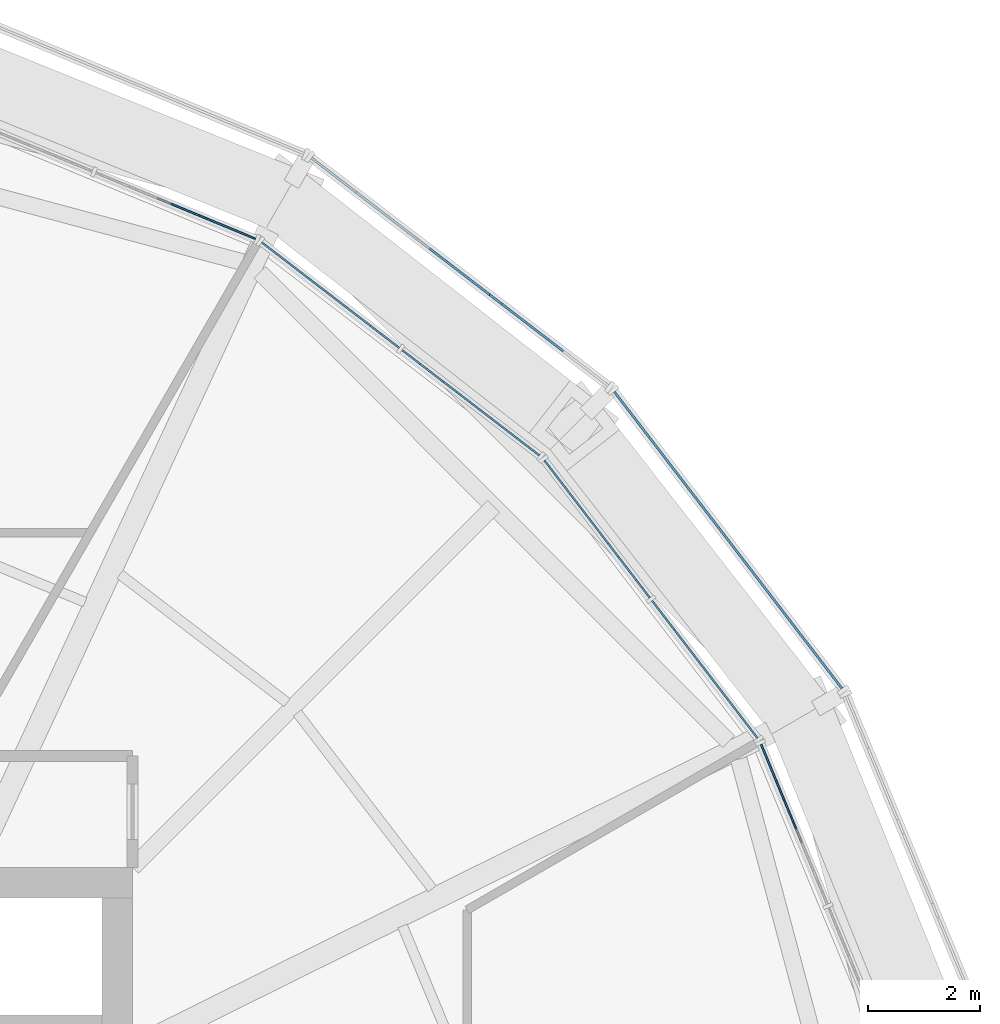
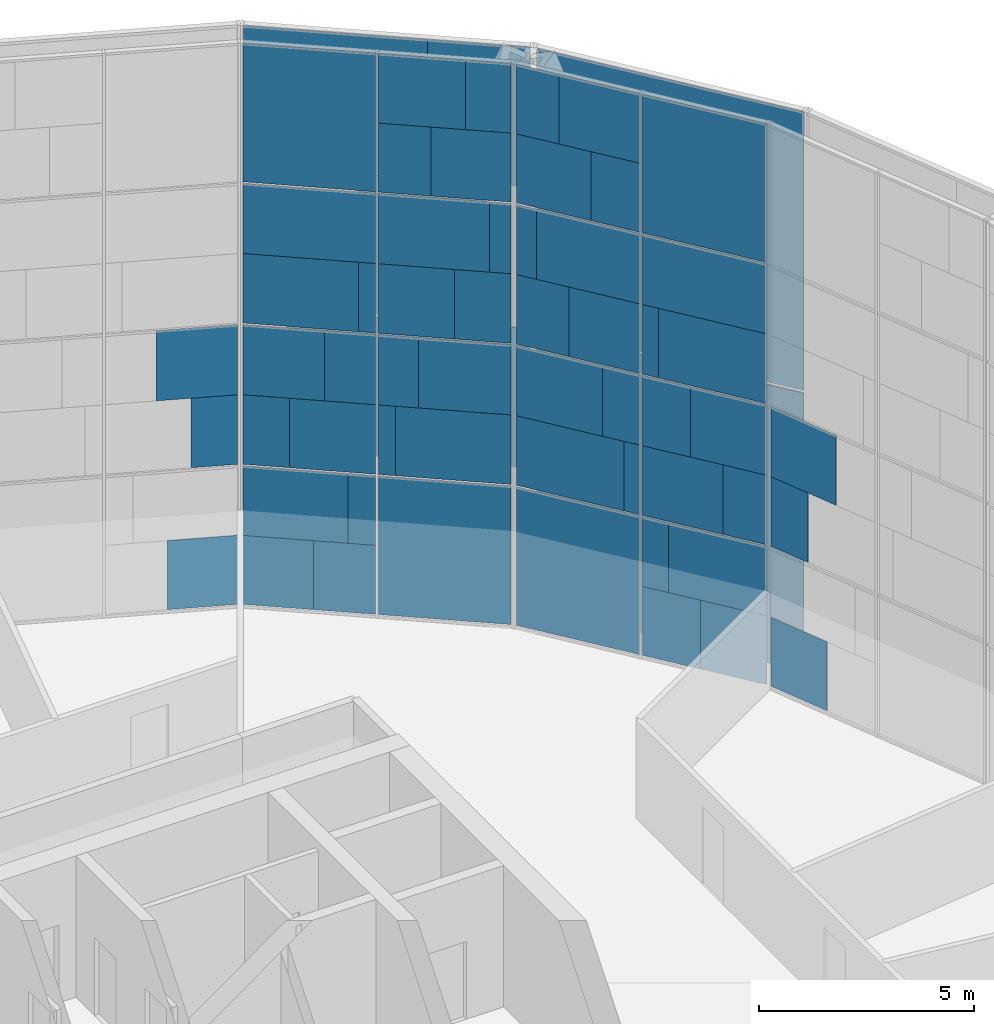
# One storey, part 24 of 29: 63 plates, 6 elements without a shape of their own.
"""IFC4 building model written with IfcOpenShell, lengths in metres."""

from ifc_helpers import new_model, si_unit, direction, frame, origin, origin_2d, place, context, subcontext, project, spatial, rectangle, extrude, material, layer, layer_set, type_object, element, aggregate, save


model = new_model("IFC4")

# Units and contexts
model_context = context("Model", 3, precision=1e-05, world=origin(), true_north=direction((0.0, 1.0)))
body_context = subcontext(model_context, "Body", "Model", "MODEL_VIEW")
ifc_project = project(units=[si_unit("LENGTHUNIT", "METRE"), si_unit("AREAUNIT", "SQUARE_METRE"), si_unit("VOLUMEUNIT", "CUBIC_METRE"), si_unit("PLANEANGLEUNIT", "RADIAN"), si_unit("MASSUNIT", "GRAM", prefix="KILO")], contexts=[model_context])

# Site, building, storey
site_placement = place(None, origin())
site = spatial("IfcSite", under=ifc_project, at=site_placement, CompositionType="ELEMENT")
building_placement = place(site_placement, origin())
building = spatial("IfcBuilding", under=site, at=building_placement, Name="Golbaran Civic Tower", CompositionType="ELEMENT")
storey_placement = place(building_placement, frame((0.0, 0.0, 118.0)))
storey = spatial("IfcBuildingStorey", under=building, at=storey_placement, Name="L28", CompositionType="ELEMENT", Elevation=118.0)

# Curtain wall, plates
ifc_material_1 = material(Name="Aluminium and glass", Category="aluminium")
curtain_wall_type_1 = type_object("IfcCurtainWallType", Name="INNER SKIN CURTAIN WALL", PredefinedType="NOTDEFINED", material=ifc_material_1)
curtain_wall_1_placement = place(storey_placement, origin())
curtain_wall_1 = element("IfcCurtainWall", 1, at=curtain_wall_1_placement, inside=storey, type_object=curtain_wall_type_1, Name="Inner skin L28 facet 2 CW1", ObjectType="INNER SKIN", PredefinedType="USERDEFINED")
ifc_material_2 = material(Name="Clear insulating glass", Category="glass")
ifc_layer_1 = layer(ifc_material_2, 0.031982421875, Name="Clear insulating glass")
ifc_layer_set_1 = layer_set([ifc_layer_1], Name="Clear insulating glass")
plate_type_1 = type_object("IfcPlateType", Name="INNER SKIN CURTAIN WALL GLAZED PANEL", PredefinedType="CURTAIN_PANEL", material=ifc_layer_set_1)
plate_1_placement = place(storey_placement, frame((21.480712890625, 11.703125, 4.03271484375), z_axis=(0.0, 0.0, 1.0), x_axis=(-0.38268343243, 0.923879532485, 0.0)))
plate_1 = element("IfcPlate", 2, at=plate_1_placement, type_object=plate_type_1, Name="CW1 panel 2.2 part 2", PredefinedType="CURTAIN_PANEL", context=body_context, shape_type="SweptSolid", body=[
    extrude(rectangle(XDim=1.0908203125, YDim=0.031982421875, at=origin_2d()), origin(), (0.0, 0.0, 1.0), 1.967529296875),
])
plate_2_placement = place(storey_placement, frame((21.63671875, 11.32666015625, 6.0), z_axis=(0.0, 0.0, 1.0), x_axis=(-0.38268343243, 0.923879532485, 0.0)))
plate_2 = element("IfcPlate", 3, at=plate_2_placement, type_object=plate_type_1, Name="CW1 panel 2.2 part 4", PredefinedType="CURTAIN_PANEL", context=body_context, shape_type="SweptSolid", body=[
    extrude(rectangle(XDim=1.90576171875, YDim=0.031982421875, at=origin_2d()), origin(), (0.0, 0.0, 1.0), 1.967529296875),
])

curtain_wall_2_placement = place(storey_placement, origin())
curtain_wall_2 = element("IfcCurtainWall", 4, at=curtain_wall_2_placement, inside=storey, type_object=curtain_wall_type_1, Name="Inner skin L28 facet 3 CW1", ObjectType="INNER SKIN", PredefinedType="USERDEFINED")
plate_3_placement = place(storey_placement, frame((19.761474609375, 14.203125, 0.06494140625), z_axis=(0.0, 0.0, 1.0), x_axis=(-0.608761428898, 0.793353340376, 0.0)))
plate_3 = element("IfcPlate", 5, at=plate_3_placement, type_object=plate_type_1, Name="CW1 panel 1.1 part 2", PredefinedType="CURTAIN_PANEL", context=body_context, shape_type="SweptSolid", body=[
    extrude(rectangle(XDim=1.458740234375, YDim=0.031982421875, at=origin_2d()), origin(), (0.0, 0.0, 1.0), 1.951171875),
])
plate_4_placement = place(storey_placement, frame((19.515869140625, 14.523193359375, 2.016357421875), z_axis=(0.0, 0.0, 1.0), x_axis=(-0.608761428898, 0.793353340376, 0.0)))
plate_4 = element("IfcPlate", 6, at=plate_4_placement, type_object=plate_type_1, Name="CW1 panel 1.1 part 4", PredefinedType="CURTAIN_PANEL", context=body_context, shape_type="SweptSolid", body=[
    extrude(rectangle(XDim=0.65185546875, YDim=0.031982421875, at=origin_2d()), origin(), (0.0, 0.0, 1.0), 1.951171875),
])
plate_5_placement = place(storey_placement, frame((20.87548828125, 12.751220703125, 4.03271484375), z_axis=(0.0, 0.0, 1.0), x_axis=(-0.608761428898, 0.793353340376, 0.0)))
plate_5 = element("IfcPlate", 7, at=plate_5_placement, type_object=plate_type_1, Name="CW1 panel 1.2 part 1", PredefinedType="CURTAIN_PANEL", context=body_context, shape_type="SweptSolid", body=[
    extrude(rectangle(XDim=1.091064453125, YDim=0.031982421875, at=origin_2d()), origin(), (0.0, 0.0, 1.0), 1.967529296875),
])
plate_6_placement = place(storey_placement, frame((20.627685546875, 13.07421875, 6.0), z_axis=(0.0, 0.0, 1.0), x_axis=(-0.608761428898, 0.793353340376, 0.0)))
plate_6 = element("IfcPlate", 8, at=plate_6_placement, type_object=plate_type_1, Name="CW1 panel 1.2 part 3", PredefinedType="CURTAIN_PANEL", context=body_context, shape_type="SweptSolid", body=[
    extrude(rectangle(XDim=1.905029296875, YDim=0.031982421875, at=origin_2d()), origin(), (0.0, 0.0, 1.0), 1.967529296875),
])
plate_7_placement = place(storey_placement, frame((20.384765625, 13.390869140625, 8.03271484375), z_axis=(0.0, 0.0, 1.0), x_axis=(-0.608761428898, 0.793353340376, 0.0)))
plate_7 = element("IfcPlate", 9, at=plate_7_placement, type_object=plate_type_1, Name="CW1 panel 1.3 part 1", PredefinedType="CURTAIN_PANEL", context=body_context, shape_type="SweptSolid", body=[
    extrude(rectangle(XDim=2.702880859375, YDim=0.031982421875, at=origin_2d()), origin(), (0.0, 0.0, 1.0), 1.967529296875),
])
plate_8_placement = place(storey_placement, frame((20.262451171875, 13.55029296875, 10.0), z_axis=(0.0, 0.0, 1.0), x_axis=(-0.608761428898, 0.793353340376, 0.0)))
plate_8 = element("IfcPlate", 10, at=plate_8_placement, type_object=plate_type_1, Name="CW1 panel 1.3 part 3", PredefinedType="CURTAIN_PANEL", context=body_context, shape_type="SweptSolid", body=[
    extrude(rectangle(XDim=3.104736328125, YDim=0.031982421875, at=origin_2d()), origin(), (0.0, 0.0, 1.0), 1.967529296875),
])
plate_9_placement = place(storey_placement, frame((20.262451171875, 13.55029296875, 12.0322265625), z_axis=(0.0, 0.0, 1.0), x_axis=(-0.608761428898, 0.793353340376, 0.0)))
plate_9 = element("IfcPlate", 11, at=plate_9_placement, type_object=plate_type_1, Name="CW1 panel 1.4", PredefinedType="CURTAIN_PANEL", context=body_context, shape_type="SweptSolid", body=[
    extrude(rectangle(XDim=3.104736328125, YDim=0.031982421875, at=origin_2d()), origin(), (0.0, 0.0, 1.0), 3.902587890625),
])
plate_10_placement = place(storey_placement, frame((18.332763671875, 16.06494140625, 0.06494140625), z_axis=(0.0, 0.0, 1.0), x_axis=(-0.608761428898, 0.793353340376, 0.0)))
plate_10 = element("IfcPlate", 12, at=plate_10_placement, type_object=plate_type_1, Name="CW1 panel 2.1", PredefinedType="CURTAIN_PANEL", context=body_context, shape_type="SweptSolid", body=[
    extrude(rectangle(XDim=3.104736328125, YDim=0.031982421875, at=origin_2d()), origin(), (0.0, 0.0, 1.0), 3.902587890625),
])
plate_11_placement = place(storey_placement, frame((18.210693359375, 16.22412109375, 4.03271484375), z_axis=(0.0, 0.0, 1.0), x_axis=(-0.608761428898, 0.793353340376, 0.0)))
plate_11 = element("IfcPlate", 13, at=plate_11_placement, type_object=plate_type_1, Name="CW1 panel 2.2 part 2", PredefinedType="CURTAIN_PANEL", context=body_context, shape_type="SweptSolid", body=[
    extrude(rectangle(XDim=2.703857421875, YDim=0.031982421875, at=origin_2d()), origin(), (0.0, 0.0, 1.0), 1.967529296875),
])
plate_12_placement = place(storey_placement, frame((18.046875, 16.4375, 6.0), z_axis=(0.0, 0.0, 1.0), x_axis=(-0.608761428898, 0.793353340376, 0.0)))
plate_12 = element("IfcPlate", 14, at=plate_12_placement, type_object=plate_type_1, Name="CW1 panel 2.2 part 4", PredefinedType="CURTAIN_PANEL", context=body_context, shape_type="SweptSolid", body=[
    extrude(rectangle(XDim=2.165771484375, YDim=0.031982421875, at=origin_2d()), origin(), (0.0, 0.0, 1.0), 1.967529296875),
])
plate_13_placement = place(storey_placement, frame((17.791015625, 16.77099609375, 8.03271484375), z_axis=(0.0, 0.0, 1.0), x_axis=(-0.608761428898, 0.793353340376, 0.0)))
plate_13 = element("IfcPlate", 15, at=plate_13_placement, type_object=plate_type_1, Name="CW1 panel 2.3 part 2", PredefinedType="CURTAIN_PANEL", context=body_context, shape_type="SweptSolid", body=[
    extrude(rectangle(XDim=1.324951171875, YDim=0.031982421875, at=origin_2d()), origin(), (0.0, 0.0, 1.0), 1.967529296875),
])
plate_14_placement = place(storey_placement, frame((17.54296875, 17.09423828125, 10.0), z_axis=(0.0, 0.0, 1.0), x_axis=(-0.608761428898, 0.793353340376, 0.0)))
plate_14 = element("IfcPlate", 16, at=plate_14_placement, type_object=plate_type_1, Name="CW1 panel 2.3 part 4", PredefinedType="CURTAIN_PANEL", context=body_context, shape_type="SweptSolid", body=[
    extrude(rectangle(XDim=0.509765625, YDim=0.031982421875, at=origin_2d()), origin(), (0.0, 0.0, 1.0), 1.967529296875),
])
plate_15_placement = place(storey_placement, frame((18.90283203125, 15.322021484375, 12.032470703125), z_axis=(0.0, 0.0, 1.0), x_axis=(-0.608761428898, 0.793353340376, 0.0)))
plate_15 = element("IfcPlate", 17, at=plate_15_placement, type_object=plate_type_1, Name="CW1 panel 2.4 part 1", PredefinedType="CURTAIN_PANEL", context=body_context, shape_type="SweptSolid", body=[
    extrude(rectangle(XDim=1.23193359375, YDim=0.031982421875, at=origin_2d()), origin(), (0.0, 0.0, 1.0), 1.951171875),
])
plate_16_placement = place(storey_placement, frame((18.656982421875, 15.642578125, 13.98388671875), z_axis=(0.0, 0.0, 1.0), x_axis=(-0.608761428898, 0.793353340376, 0.0)))
plate_16 = element("IfcPlate", 18, at=plate_16_placement, type_object=plate_type_1, Name="CW1 panel 2.4 part 3", PredefinedType="CURTAIN_PANEL", context=body_context, shape_type="SweptSolid", body=[
    extrude(rectangle(XDim=2.0400390625, YDim=0.031982421875, at=origin_2d()), origin(), (0.0, 0.0, 1.0), 1.951171875),
])

curtain_wall_3_placement = place(storey_placement, origin())
curtain_wall_3 = element("IfcCurtainWall", 19, at=curtain_wall_3_placement, inside=storey, type_object=curtain_wall_type_1, Name="Inner skin L28 facet 4 CW1", ObjectType="INNER SKIN", PredefinedType="USERDEFINED")
plate_17_placement = place(storey_placement, frame((16.06494140625, 18.332763671875, 0.06494140625), z_axis=(0.0, 0.0, 1.0), x_axis=(-0.793353340376, 0.608761428898, 0.0)))
plate_17 = element("IfcPlate", 20, at=plate_17_placement, type_object=plate_type_1, Name="CW1 panel 1.1", PredefinedType="CURTAIN_PANEL", context=body_context, shape_type="SweptSolid", body=[
    extrude(rectangle(XDim=3.104736328125, YDim=0.031982421875, at=origin_2d()), origin(), (0.0, 0.0, 1.0), 3.902587890625),
])
plate_18_placement = place(storey_placement, frame((16.224365234375, 18.21044921875, 4.03271484375), z_axis=(0.0, 0.0, 1.0), x_axis=(-0.793353340376, 0.608761428898, 0.0)))
plate_18 = element("IfcPlate", 21, at=plate_18_placement, type_object=plate_type_1, Name="CW1 panel 1.2 part 1", PredefinedType="CURTAIN_PANEL", context=body_context, shape_type="SweptSolid", body=[
    extrude(rectangle(XDim=2.702880859375, YDim=0.031982421875, at=origin_2d()), origin(), (0.0, 0.0, 1.0), 1.967529296875),
])
plate_19_placement = place(storey_placement, frame((16.4375, 18.047119140625, 6.0), z_axis=(0.0, 0.0, 1.0), x_axis=(-0.793353340376, 0.608761428898, 0.0)))
plate_19 = element("IfcPlate", 22, at=plate_19_placement, type_object=plate_type_1, Name="CW1 panel 1.2 part 3", PredefinedType="CURTAIN_PANEL", context=body_context, shape_type="SweptSolid", body=[
    extrude(rectangle(XDim=2.166015625, YDim=0.031982421875, at=origin_2d()), origin(), (0.0, 0.0, 1.0), 1.967529296875),
])
plate_20_placement = place(storey_placement, frame((16.77099609375, 17.791015625, 8.03271484375), z_axis=(0.0, 0.0, 1.0), x_axis=(-0.793353340376, 0.608761428898, 0.0)))
plate_20 = element("IfcPlate", 23, at=plate_20_placement, type_object=plate_type_1, Name="CW1 panel 1.3 part 1", PredefinedType="CURTAIN_PANEL", context=body_context, shape_type="SweptSolid", body=[
    extrude(rectangle(XDim=1.324951171875, YDim=0.031982421875, at=origin_2d()), origin(), (0.0, 0.0, 1.0), 1.967529296875),
])
plate_21_placement = place(storey_placement, frame((17.09423828125, 17.54296875, 10.0), z_axis=(0.0, 0.0, 1.0), x_axis=(-0.793353340376, 0.608761428898, 0.0)))
plate_21 = element("IfcPlate", 24, at=plate_21_placement, type_object=plate_type_1, Name="CW1 panel 1.3 part 3", PredefinedType="CURTAIN_PANEL", context=body_context, shape_type="SweptSolid", body=[
    extrude(rectangle(XDim=0.510009765625, YDim=0.031982421875, at=origin_2d()), origin(), (0.0, 0.0, 1.0), 1.967529296875),
])
plate_22_placement = place(storey_placement, frame((15.322021484375, 18.90283203125, 12.032470703125), z_axis=(0.0, 0.0, 1.0), x_axis=(-0.793353340376, 0.608761428898, 0.0)))
plate_22 = element("IfcPlate", 25, at=plate_22_placement, type_object=plate_type_1, Name="CW1 panel 1.4 part 2", PredefinedType="CURTAIN_PANEL", context=body_context, shape_type="SweptSolid", body=[
    extrude(rectangle(XDim=1.23193359375, YDim=0.031982421875, at=origin_2d()), origin(), (0.0, 0.0, 1.0), 1.951171875),
])
plate_23_placement = place(storey_placement, frame((15.642578125, 18.656982421875, 13.98388671875), z_axis=(0.0, 0.0, 1.0), x_axis=(-0.793353340376, 0.608761428898, 0.0)))
plate_23 = element("IfcPlate", 26, at=plate_23_placement, type_object=plate_type_1, Name="CW1 panel 1.4 part 4", PredefinedType="CURTAIN_PANEL", context=body_context, shape_type="SweptSolid", body=[
    extrude(rectangle(XDim=2.039794921875, YDim=0.031982421875, at=origin_2d()), origin(), (0.0, 0.0, 1.0), 1.951171875),
])
plate_24_placement = place(storey_placement, frame((14.203125, 19.761474609375, 0.06494140625), z_axis=(0.0, 0.0, 1.0), x_axis=(-0.793353340376, 0.608761428898, 0.0)))
plate_24 = element("IfcPlate", 27, at=plate_24_placement, type_object=plate_type_1, Name="CW1 panel 2.1 part 1", PredefinedType="CURTAIN_PANEL", context=body_context, shape_type="SweptSolid", body=[
    extrude(rectangle(XDim=1.458984375, YDim=0.031982421875, at=origin_2d()), origin(), (0.0, 0.0, 1.0), 1.951171875),
])
plate_25_placement = place(storey_placement, frame((14.5234375, 19.515625, 2.016357421875), z_axis=(0.0, 0.0, 1.0), x_axis=(-0.793353340376, 0.608761428898, 0.0)))
plate_25 = element("IfcPlate", 28, at=plate_25_placement, type_object=plate_type_1, Name="CW1 panel 2.1 part 3", PredefinedType="CURTAIN_PANEL", context=body_context, shape_type="SweptSolid", body=[
    extrude(rectangle(XDim=0.65087890625, YDim=0.031982421875, at=origin_2d()), origin(), (0.0, 0.0, 1.0), 1.951171875),
])
plate_26_placement = place(storey_placement, frame((12.751220703125, 20.87548828125, 4.03271484375), z_axis=(0.0, 0.0, 1.0), x_axis=(-0.793353340376, 0.608761428898, 0.0)))
plate_26 = element("IfcPlate", 29, at=plate_26_placement, type_object=plate_type_1, Name="CW1 panel 2.2 part 2", PredefinedType="CURTAIN_PANEL", context=body_context, shape_type="SweptSolid", body=[
    extrude(rectangle(XDim=1.0908203125, YDim=0.031982421875, at=origin_2d()), origin(), (0.0, 0.0, 1.0), 1.967529296875),
])
plate_27_placement = place(storey_placement, frame((13.074462890625, 20.62744140625, 6.0), z_axis=(0.0, 0.0, 1.0), x_axis=(-0.793353340376, 0.608761428898, 0.0)))
plate_27 = element("IfcPlate", 30, at=plate_27_placement, type_object=plate_type_1, Name="CW1 panel 2.2 part 4", PredefinedType="CURTAIN_PANEL", context=body_context, shape_type="SweptSolid", body=[
    extrude(rectangle(XDim=1.90576171875, YDim=0.031982421875, at=origin_2d()), origin(), (0.0, 0.0, 1.0), 1.967529296875),
])
plate_28_placement = place(storey_placement, frame((13.3916015625, 20.38427734375, 8.03271484375), z_axis=(0.0, 0.0, 1.0), x_axis=(-0.793353340376, 0.608761428898, 0.0)))
plate_28 = element("IfcPlate", 31, at=plate_28_placement, type_object=plate_type_1, Name="CW1 panel 2.3 part 2", PredefinedType="CURTAIN_PANEL", context=body_context, shape_type="SweptSolid", body=[
    extrude(rectangle(XDim=2.704833984375, YDim=0.031982421875, at=origin_2d()), origin(), (0.0, 0.0, 1.0), 1.967529296875),
])
plate_29_placement = place(storey_placement, frame((13.55029296875, 20.262451171875, 10.0), z_axis=(0.0, 0.0, 1.0), x_axis=(-0.793353340376, 0.608761428898, 0.0)))
plate_29 = element("IfcPlate", 32, at=plate_29_placement, type_object=plate_type_1, Name="CW1 panel 2.3 part 3", PredefinedType="CURTAIN_PANEL", context=body_context, shape_type="SweptSolid", body=[
    extrude(rectangle(XDim=3.104736328125, YDim=0.031982421875, at=origin_2d()), origin(), (0.0, 0.0, 1.0), 1.967529296875),
])
plate_30_placement = place(storey_placement, frame((13.55029296875, 20.262451171875, 12.0322265625), z_axis=(0.0, 0.0, 1.0), x_axis=(-0.793353340376, 0.608761428898, 0.0)))
plate_30 = element("IfcPlate", 33, at=plate_30_placement, type_object=plate_type_1, Name="CW1 panel 2.4", PredefinedType="CURTAIN_PANEL", context=body_context, shape_type="SweptSolid", body=[
    extrude(rectangle(XDim=3.104736328125, YDim=0.031982421875, at=origin_2d()), origin(), (0.0, 0.0, 1.0), 3.902587890625),
])

curtain_wall_4_placement = place(storey_placement, origin())
curtain_wall_4 = element("IfcCurtainWall", 34, at=curtain_wall_4_placement, inside=storey, type_object=curtain_wall_type_1, Name="Inner skin L28 facet 5 CW1", ObjectType="INNER SKIN", PredefinedType="USERDEFINED")
plate_31_placement = place(storey_placement, frame((11.702880859375, 21.480712890625, 4.03271484375), z_axis=(0.0, 0.0, 1.0), x_axis=(-0.923879532485, 0.38268343243, 0.0)))
plate_31 = element("IfcPlate", 35, at=plate_31_placement, type_object=plate_type_1, Name="CW1 panel 1.2 part 1", PredefinedType="CURTAIN_PANEL", context=body_context, shape_type="SweptSolid", body=[
    extrude(rectangle(XDim=1.091064453125, YDim=0.031982421875, at=origin_2d()), origin(), (0.0, 0.0, 1.0), 1.967529296875),
])
plate_32_placement = place(storey_placement, frame((11.326904296875, 21.636474609375, 6.0), z_axis=(0.0, 0.0, 1.0), x_axis=(-0.923879532485, 0.38268343243, 0.0)))
plate_32 = element("IfcPlate", 36, at=plate_32_placement, type_object=plate_type_1, Name="CW1 panel 1.2 part 3", PredefinedType="CURTAIN_PANEL", context=body_context, shape_type="SweptSolid", body=[
    extrude(rectangle(XDim=1.905029296875, YDim=0.031982421875, at=origin_2d()), origin(), (0.0, 0.0, 1.0), 1.967529296875),
])

# Plate
ifc_material_3 = material(Name="Aluminium faced opaque infill panel", Category="aluminium")
ifc_layer_2 = layer(ifc_material_3, 0.031982421875, Name="Aluminium faced opaque infill panel")
ifc_layer_set_2 = layer_set([ifc_layer_2], Name="Aluminium faced opaque infill panel")
plate_type_2 = type_object("IfcPlateType", Name="INNER SKIN CURTAIN WALL OPAQUE INFILL PANEL", PredefinedType="CURTAIN_PANEL", material=ifc_layer_set_2)
plate_33_placement = place(storey_placement, frame((21.5869140625, 11.44677734375, 0.06494140625), z_axis=(0.0, 0.0, 1.0), x_axis=(-0.38268343243, 0.923879532485, 0.0)))
plate_33 = element("IfcPlate", 37, at=plate_33_placement, type_object=plate_type_2, Name="CW1 infill panel 2.1 part 2", PredefinedType="CURTAIN_PANEL", context=body_context, shape_type="SweptSolid", body=[
    extrude(rectangle(XDim=1.645751953125, YDim=0.031982421875, at=origin_2d()), origin(), (0.0, 0.0, 1.0), 1.951171875),
])

aggregate(curtain_wall_1, [plate_33, plate_1, plate_2])

plate_34_placement = place(storey_placement, frame((20.70654296875, 12.971435546875, 0.06494140625), z_axis=(0.0, 0.0, 1.0), x_axis=(-0.608761428898, 0.793353340376, 0.0)))
plate_34 = element("IfcPlate", 38, at=plate_34_placement, type_object=plate_type_2, Name="CW1 infill panel 1.1 part 1", PredefinedType="CURTAIN_PANEL", context=body_context, shape_type="SweptSolid", body=[
    extrude(rectangle(XDim=1.64599609375, YDim=0.031982421875, at=origin_2d()), origin(), (0.0, 0.0, 1.0), 1.951171875),
])

plate_35_placement = place(storey_placement, frame((20.4609375, 13.29150390625, 2.016357421875), z_axis=(0.0, 0.0, 1.0), x_axis=(-0.608761428898, 0.793353340376, 0.0)))
plate_35 = element("IfcPlate", 39, at=plate_35_placement, type_object=plate_type_2, Name="CW1 infill panel 1.1 part 3", PredefinedType="CURTAIN_PANEL", context=body_context, shape_type="SweptSolid", body=[
    extrude(rectangle(XDim=2.452880859375, YDim=0.031982421875, at=origin_2d()), origin(), (0.0, 0.0, 1.0), 1.951171875),
])

plate_36_placement = place(storey_placement, frame((19.930419921875, 13.98291015625, 4.03271484375), z_axis=(0.0, 0.0, 1.0), x_axis=(-0.608761428898, 0.793353340376, 0.0)))
plate_36 = element("IfcPlate", 40, at=plate_36_placement, type_object=plate_type_2, Name="CW1 infill panel 1.2 part 2", PredefinedType="CURTAIN_PANEL", context=body_context, shape_type="SweptSolid", body=[
    extrude(rectangle(XDim=2.013916015625, YDim=0.031982421875, at=origin_2d()), origin(), (0.0, 0.0, 1.0), 1.967529296875),
])

plate_37_placement = place(storey_placement, frame((19.6826171875, 14.305908203125, 6.0), z_axis=(0.0, 0.0, 1.0), x_axis=(-0.608761428898, 0.793353340376, 0.0)))
plate_37 = element("IfcPlate", 41, at=plate_37_placement, type_object=plate_type_2, Name="CW1 infill panel 1.2 part 4", PredefinedType="CURTAIN_PANEL", context=body_context, shape_type="SweptSolid", body=[
    extrude(rectangle(XDim=1.199951171875, YDim=0.031982421875, at=origin_2d()), origin(), (0.0, 0.0, 1.0), 1.967529296875),
])

plate_38_placement = place(storey_placement, frame((19.439697265625, 14.622314453125, 8.03271484375), z_axis=(0.0, 0.0, 1.0), x_axis=(-0.608761428898, 0.793353340376, 0.0)))
plate_38 = element("IfcPlate", 42, at=plate_38_placement, type_object=plate_type_2, Name="CW1 infill panel 1.3 part 2", PredefinedType="CURTAIN_PANEL", context=body_context, shape_type="SweptSolid", body=[
    extrude(rectangle(XDim=0.40185546875, YDim=0.031982421875, at=origin_2d()), origin(), (0.0, 0.0, 1.0), 1.967529296875),
])

plate_39_placement = place(storey_placement, frame((19.15576171875, 14.992431640625, 4.03271484375), z_axis=(0.0, 0.0, 1.0), x_axis=(-0.608761428898, 0.793353340376, 0.0)))
plate_39 = element("IfcPlate", 43, at=plate_39_placement, type_object=plate_type_2, Name="CW1 infill panel 2.2 part 1", PredefinedType="CURTAIN_PANEL", context=body_context, shape_type="SweptSolid", body=[
    extrude(rectangle(XDim=0.40087890625, YDim=0.031982421875, at=origin_2d()), origin(), (0.0, 0.0, 1.0), 1.967529296875),
])

plate_40_placement = place(storey_placement, frame((18.991943359375, 15.205810546875, 6.0), z_axis=(0.0, 0.0, 1.0), x_axis=(-0.608761428898, 0.793353340376, 0.0)))
plate_40 = element("IfcPlate", 44, at=plate_40_placement, type_object=plate_type_2, Name="CW1 infill panel 2.2 part 3", PredefinedType="CURTAIN_PANEL", context=body_context, shape_type="SweptSolid", body=[
    extrude(rectangle(XDim=0.93896484375, YDim=0.031982421875, at=origin_2d()), origin(), (0.0, 0.0, 1.0), 1.967529296875),
])

plate_41_placement = place(storey_placement, frame((18.736083984375, 15.53955078125, 8.03271484375), z_axis=(0.0, 0.0, 1.0), x_axis=(-0.608761428898, 0.793353340376, 0.0)))
plate_41 = element("IfcPlate", 45, at=plate_41_placement, type_object=plate_type_2, Name="CW1 infill panel 2.3 part 1", PredefinedType="CURTAIN_PANEL", context=body_context, shape_type="SweptSolid", body=[
    extrude(rectangle(XDim=1.780029296875, YDim=0.031982421875, at=origin_2d()), origin(), (0.0, 0.0, 1.0), 1.967529296875),
])

plate_42_placement = place(storey_placement, frame((18.488037109375, 15.86279296875, 10.0), z_axis=(0.0, 0.0, 1.0), x_axis=(-0.608761428898, 0.793353340376, 0.0)))
plate_42 = element("IfcPlate", 46, at=plate_42_placement, type_object=plate_type_2, Name="CW1 infill panel 2.3 part 3", PredefinedType="CURTAIN_PANEL", context=body_context, shape_type="SweptSolid", body=[
    extrude(rectangle(XDim=2.594970703125, YDim=0.031982421875, at=origin_2d()), origin(), (0.0, 0.0, 1.0), 1.967529296875),
])

plate_43_placement = place(storey_placement, frame((17.957763671875, 16.5537109375, 12.032470703125), z_axis=(0.0, 0.0, 1.0), x_axis=(-0.608761428898, 0.793353340376, 0.0)))
plate_43 = element("IfcPlate", 47, at=plate_43_placement, type_object=plate_type_2, Name="CW1 infill panel 2.4 part 2", PredefinedType="CURTAIN_PANEL", context=body_context, shape_type="SweptSolid", body=[
    extrude(rectangle(XDim=1.872802734375, YDim=0.031982421875, at=origin_2d()), origin(), (0.0, 0.0, 1.0), 1.951171875),
])

plate_44_placement = place(storey_placement, frame((17.7119140625, 16.874267578125, 13.98388671875), z_axis=(0.0, 0.0, 1.0), x_axis=(-0.608761428898, 0.793353340376, 0.0)))
plate_44 = element("IfcPlate", 48, at=plate_44_placement, type_object=plate_type_2, Name="CW1 infill panel 2.4 part 4", PredefinedType="CURTAIN_PANEL", context=body_context, shape_type="SweptSolid", body=[
    extrude(rectangle(XDim=1.06494140625, YDim=0.031982421875, at=origin_2d()), origin(), (0.0, 0.0, 1.0), 1.951171875),
])

aggregate(curtain_wall_2, [plate_34, plate_3, plate_35, plate_4, plate_5, plate_36, plate_6, plate_37, plate_7, plate_38, plate_8, plate_9, plate_10, plate_39, plate_11, plate_40, plate_12, plate_41, plate_13, plate_42, plate_14, plate_15, plate_43, plate_16, plate_44])

plate_45_placement = place(storey_placement, frame((14.99267578125, 19.155517578125, 4.03271484375), z_axis=(0.0, 0.0, 1.0), x_axis=(-0.793353340376, 0.608761428898, 0.0)))
plate_45 = element("IfcPlate", 49, at=plate_45_placement, type_object=plate_type_2, Name="CW1 infill panel 1.2 part 2", PredefinedType="CURTAIN_PANEL", context=body_context, shape_type="SweptSolid", body=[
    extrude(rectangle(XDim=0.40185546875, YDim=0.031982421875, at=origin_2d()), origin(), (0.0, 0.0, 1.0), 1.967529296875),
])

plate_46_placement = place(storey_placement, frame((15.205810546875, 18.9921875, 6.0), z_axis=(0.0, 0.0, 1.0), x_axis=(-0.793353340376, 0.608761428898, 0.0)))
plate_46 = element("IfcPlate", 50, at=plate_46_placement, type_object=plate_type_2, Name="CW1 infill panel 1.2 part 4", PredefinedType="CURTAIN_PANEL", context=body_context, shape_type="SweptSolid", body=[
    extrude(rectangle(XDim=0.938720703125, YDim=0.031982421875, at=origin_2d()), origin(), (0.0, 0.0, 1.0), 1.967529296875),
])

plate_47_placement = place(storey_placement, frame((15.539306640625, 18.736083984375, 8.03271484375), z_axis=(0.0, 0.0, 1.0), x_axis=(-0.793353340376, 0.608761428898, 0.0)))
plate_47 = element("IfcPlate", 51, at=plate_47_placement, type_object=plate_type_2, Name="CW1 infill panel 1.3 part 2", PredefinedType="CURTAIN_PANEL", context=body_context, shape_type="SweptSolid", body=[
    extrude(rectangle(XDim=1.77978515625, YDim=0.031982421875, at=origin_2d()), origin(), (0.0, 0.0, 1.0), 1.967529296875),
])

plate_48_placement = place(storey_placement, frame((15.86279296875, 18.488037109375, 10.0), z_axis=(0.0, 0.0, 1.0), x_axis=(-0.793353340376, 0.608761428898, 0.0)))
plate_48 = element("IfcPlate", 52, at=plate_48_placement, type_object=plate_type_2, Name="CW1 infill panel 1.3 part 4", PredefinedType="CURTAIN_PANEL", context=body_context, shape_type="SweptSolid", body=[
    extrude(rectangle(XDim=2.5947265625, YDim=0.031982421875, at=origin_2d()), origin(), (0.0, 0.0, 1.0), 1.967529296875),
])

plate_49_placement = place(storey_placement, frame((16.5537109375, 17.957763671875, 12.032470703125), z_axis=(0.0, 0.0, 1.0), x_axis=(-0.793353340376, 0.608761428898, 0.0)))
plate_49 = element("IfcPlate", 53, at=plate_49_placement, type_object=plate_type_2, Name="CW1 infill panel 1.4 part 1", PredefinedType="CURTAIN_PANEL", context=body_context, shape_type="SweptSolid", body=[
    extrude(rectangle(XDim=1.873046875, YDim=0.031982421875, at=origin_2d()), origin(), (0.0, 0.0, 1.0), 1.951171875),
])

plate_50_placement = place(storey_placement, frame((16.8740234375, 17.7119140625, 13.98388671875), z_axis=(0.0, 0.0, 1.0), x_axis=(-0.793353340376, 0.608761428898, 0.0)))
plate_50 = element("IfcPlate", 54, at=plate_50_placement, type_object=plate_type_2, Name="CW1 infill panel 1.4 part 3", PredefinedType="CURTAIN_PANEL", context=body_context, shape_type="SweptSolid", body=[
    extrude(rectangle(XDim=1.06494140625, YDim=0.031982421875, at=origin_2d()), origin(), (0.0, 0.0, 1.0), 1.951171875),
])

plate_51_placement = place(storey_placement, frame((12.971435546875, 20.70654296875, 0.06494140625), z_axis=(0.0, 0.0, 1.0), x_axis=(-0.793353340376, 0.608761428898, 0.0)))
plate_51 = element("IfcPlate", 55, at=plate_51_placement, type_object=plate_type_2, Name="CW1 infill panel 2.1 part 2", PredefinedType="CURTAIN_PANEL", context=body_context, shape_type="SweptSolid", body=[
    extrude(rectangle(XDim=1.645751953125, YDim=0.031982421875, at=origin_2d()), origin(), (0.0, 0.0, 1.0), 1.951171875),
])

plate_52_placement = place(storey_placement, frame((13.2919921875, 20.460693359375, 2.016357421875), z_axis=(0.0, 0.0, 1.0), x_axis=(-0.793353340376, 0.608761428898, 0.0)))
plate_52 = element("IfcPlate", 56, at=plate_52_placement, type_object=plate_type_2, Name="CW1 infill panel 2.1 part 4", PredefinedType="CURTAIN_PANEL", context=body_context, shape_type="SweptSolid", body=[
    extrude(rectangle(XDim=2.453857421875, YDim=0.031982421875, at=origin_2d()), origin(), (0.0, 0.0, 1.0), 1.951171875),
])

plate_53_placement = place(storey_placement, frame((13.98291015625, 19.930419921875, 4.03271484375), z_axis=(0.0, 0.0, 1.0), x_axis=(-0.793353340376, 0.608761428898, 0.0)))
plate_53 = element("IfcPlate", 57, at=plate_53_placement, type_object=plate_type_2, Name="CW1 infill panel 2.2 part 1", PredefinedType="CURTAIN_PANEL", context=body_context, shape_type="SweptSolid", body=[
    extrude(rectangle(XDim=2.013916015625, YDim=0.031982421875, at=origin_2d()), origin(), (0.0, 0.0, 1.0), 1.967529296875),
])

plate_54_placement = place(storey_placement, frame((14.30615234375, 19.682373046875, 6.0), z_axis=(0.0, 0.0, 1.0), x_axis=(-0.793353340376, 0.608761428898, 0.0)))
plate_54 = element("IfcPlate", 58, at=plate_54_placement, type_object=plate_type_2, Name="CW1 infill panel 2.2 part 3", PredefinedType="CURTAIN_PANEL", context=body_context, shape_type="SweptSolid", body=[
    extrude(rectangle(XDim=1.198974609375, YDim=0.031982421875, at=origin_2d()), origin(), (0.0, 0.0, 1.0), 1.967529296875),
])

plate_55_placement = place(storey_placement, frame((14.623046875, 19.439208984375, 8.03271484375), z_axis=(0.0, 0.0, 1.0), x_axis=(-0.793353340376, 0.608761428898, 0.0)))
plate_55 = element("IfcPlate", 59, at=plate_55_placement, type_object=plate_type_2, Name="CW1 infill panel 2.3 part 1", PredefinedType="CURTAIN_PANEL", context=body_context, shape_type="SweptSolid", body=[
    extrude(rectangle(XDim=0.39990234375, YDim=0.031982421875, at=origin_2d()), origin(), (0.0, 0.0, 1.0), 1.967529296875),
])

aggregate(curtain_wall_3, [plate_17, plate_18, plate_45, plate_19, plate_46, plate_20, plate_47, plate_21, plate_48, plate_49, plate_22, plate_50, plate_23, plate_24, plate_51, plate_25, plate_52, plate_53, plate_26, plate_54, plate_27, plate_55, plate_28, plate_29, plate_30])

plate_56_placement = place(storey_placement, frame((11.446533203125, 21.5869140625, 0.06494140625), z_axis=(0.0, 0.0, 1.0), x_axis=(-0.923879532485, 0.38268343243, 0.0)))
plate_56 = element("IfcPlate", 60, at=plate_56_placement, type_object=plate_type_2, Name="CW1 infill panel 1.1 part 1", PredefinedType="CURTAIN_PANEL", context=body_context, shape_type="SweptSolid", body=[
    extrude(rectangle(XDim=1.64599609375, YDim=0.031982421875, at=origin_2d()), origin(), (0.0, 0.0, 1.0), 1.951171875),
])

aggregate(curtain_wall_4, [plate_56, plate_31, plate_32])

# Curtain wall, plates
curtain_wall_type_2 = type_object("IfcCurtainWallType", Name="OUTER SKIN TERRACOTTA SCREEN", PredefinedType="NOTDEFINED", material=ifc_material_1)
curtain_wall_5_placement = place(storey_placement, origin())
curtain_wall_5 = element("IfcCurtainWall", 61, at=curtain_wall_5_placement, inside=storey, type_object=curtain_wall_type_2, Name="Outer skin L28 facet 4 CW3", ObjectType="OUTER SKIN", PredefinedType="USERDEFINED")
ifc_material_4 = material(Name="Clear laminated glass", Category="glass")
ifc_layer_3 = layer(ifc_material_4, 0.0400390625, Name="Clear laminated glass")
ifc_layer_set_3 = layer_set([ifc_layer_3], Name="Clear laminated glass")
plate_type_3 = type_object("IfcPlateType", Name="OUTER SKIN CLEAR GLASS PANEL", PredefinedType="CURTAIN_PANEL", material=ifc_layer_set_3)
plate_57_placement = place(storey_placement, frame((17.466552734375, 19.45556640625, 3.31005859375), z_axis=(0.0, 0.0, 1.0), x_axis=(-0.793353340302, 0.608761428995, 0.0)))
plate_57 = element("IfcPlate", 62, at=plate_57_placement, type_object=plate_type_3, Name="CW3 panel 1.1 part 3", PredefinedType="CURTAIN_PANEL", context=body_context, shape_type="SweptSolid", body=[
    extrude(rectangle(XDim=2.677001953125, YDim=0.0400390625, at=origin_2d()), origin(), (0.0, 0.0, 1.0), 3.93994140625),
])
plate_58_placement = place(storey_placement, frame((14.916015625, 21.41259765625, 11.27001953125), z_axis=(0.0, 0.0, 1.0), x_axis=(-0.793353340302, 0.608761428995, 0.0)))
plate_58 = element("IfcPlate", 63, at=plate_58_placement, type_object=plate_type_3, Name="CW3 panel 1.2 part 5", PredefinedType="CURTAIN_PANEL", context=body_context, shape_type="SweptSolid", body=[
    extrude(rectangle(XDim=4.30078125, YDim=0.0400390625, at=origin_2d()), origin(), (0.0, 0.0, 1.0), 3.93994140625),
])
ifc_material_5 = material(Name="Terracotta baguette screen", Category="masonry")
ifc_layer_4 = layer(ifc_material_5, 0.0400390625, Name="Terracotta baguette screen")
ifc_layer_set_4 = layer_set([ifc_layer_4], Name="Terracotta baguette screen")
plate_type_4 = type_object("IfcPlateType", Name="OUTER SKIN TERRACOTTA INFILL PANEL", PredefinedType="CURTAIN_PANEL", material=ifc_layer_set_4)
plate_59_placement = place(storey_placement, frame((15.206787109375, 21.189453125, 3.31005859375), z_axis=(0.0, 0.0, 1.0), x_axis=(-0.793353340302, 0.608761428995, 0.0)))
plate_59 = element("IfcPlate", 64, at=plate_59_placement, type_object=plate_type_4, Name="CW3 infill panel 1.1 part 4", PredefinedType="CURTAIN_PANEL", context=body_context, shape_type="SweptSolid", body=[
    extrude(rectangle(XDim=3.02001953125, YDim=0.0400390625, at=origin_2d()), origin(), (0.0, 0.0, 1.0), 3.93994140625),
])
plate_60_placement = place(storey_placement, frame((16.5263671875, 20.1767578125, 7.330078125), z_axis=(0.0, 0.0, 1.0), x_axis=(-0.793353340302, 0.608761428995, 0.0)))
plate_60 = element("IfcPlate", 65, at=plate_60_placement, type_object=plate_type_4, Name="CW3 infill panel 1.2 part 2", PredefinedType="CURTAIN_PANEL", context=body_context, shape_type="SweptSolid", body=[
    extrude(rectangle(XDim=3.01904296875, YDim=0.0400390625, at=origin_2d()), origin(), (0.0, 0.0, 1.0), 3.93994140625),
])
plate_61_placement = place(storey_placement, frame((17.5751953125, 19.3720703125, 11.27001953125), z_axis=(0.0, 0.0, 1.0), x_axis=(-0.793353340302, 0.608761428995, 0.0)))
plate_61 = element("IfcPlate", 66, at=plate_61_placement, type_object=plate_type_4, Name="CW3 infill panel 1.2 part 4", PredefinedType="CURTAIN_PANEL", context=body_context, shape_type="SweptSolid", body=[
    extrude(rectangle(XDim=2.403076171875, YDim=0.0400390625, at=origin_2d()), origin(), (0.0, 0.0, 1.0), 3.93994140625),
])
aggregate(curtain_wall_5, [plate_57, plate_59, plate_60, plate_61, plate_58])

curtain_wall_6_placement = place(storey_placement, origin())
curtain_wall_6 = element("IfcCurtainWall", 67, at=curtain_wall_6_placement, inside=storey, type_object=curtain_wall_type_2, Name="Outer skin L28 facet 3 CW3", ObjectType="OUTER SKIN", PredefinedType="USERDEFINED")
ifc_layer_5 = layer(ifc_material_5, 0.0400390625, Name="Terracotta baguette screen")
ifc_layer_set_5 = layer_set([ifc_layer_5], Name="Terracotta baguette screen")
plate_type_5 = type_object("IfcPlateType", Name="OUTER SKIN TERRACOTTA SCREEN PANEL", PredefinedType="CURTAIN_PANEL", material=ifc_layer_set_5)
plate_62_placement = place(storey_placement, frame((20.68115234375, 15.869140625, -0.6298828125), z_axis=(0.0, 0.0, 1.0), x_axis=(-0.608761428995, 0.793353340302, 0.0)))
plate_62 = element("IfcPlate", 68, at=plate_62_placement, type_object=plate_type_5, Name="CW3 terracotta screen panel 1.1", PredefinedType="CURTAIN_PANEL", context=body_context, shape_type="SweptSolid", body=[
    extrude(rectangle(XDim=6.703857421875, YDim=0.0400390625, at=origin_2d()), origin(), (0.0, 0.0, 1.0), 7.8798828125),
])
plate_63_placement = place(storey_placement, frame((20.68115234375, 15.869140625, 7.330078125), z_axis=(0.0, 0.0, 1.0), x_axis=(-0.608761428995, 0.793353340302, 0.0)))
plate_63 = element("IfcPlate", 69, at=plate_63_placement, type_object=plate_type_5, Name="CW3 terracotta screen panel 1.2", PredefinedType="CURTAIN_PANEL", context=body_context, shape_type="SweptSolid", body=[
    extrude(rectangle(XDim=6.703857421875, YDim=0.0400390625, at=origin_2d()), origin(), (0.0, 0.0, 1.0), 7.8798828125),
])
aggregate(curtain_wall_6, [plate_62, plate_63])

save(model, "model.ifc")
